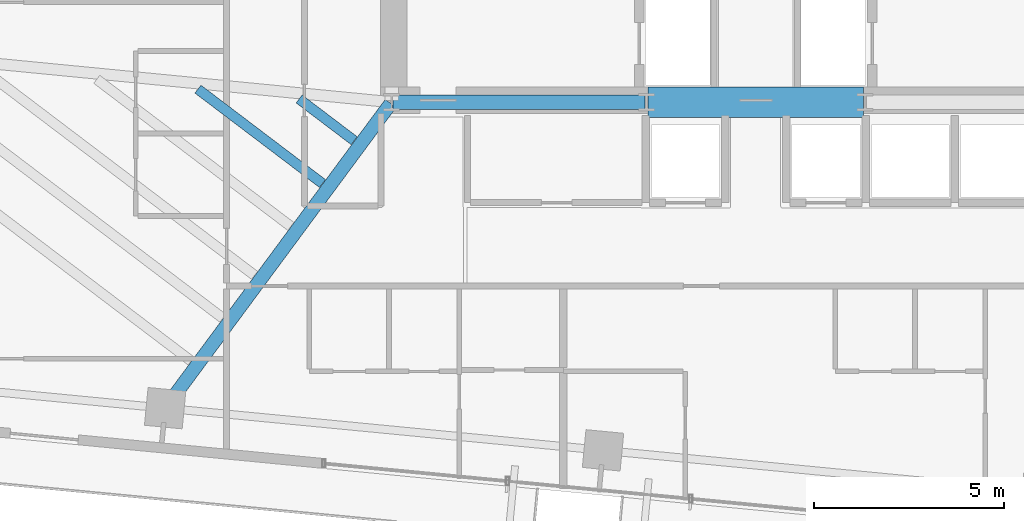
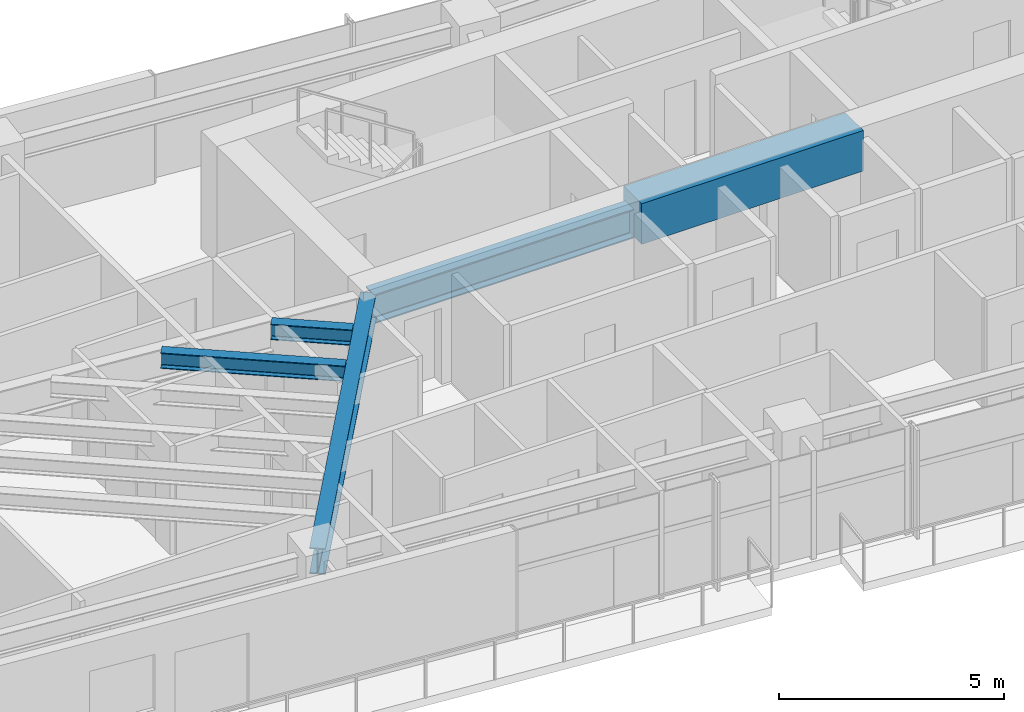
# One storey, part 5 of 20: 5 beams.
"""IFC4 building model written with IfcOpenShell, lengths in metres."""

from ifc_helpers import new_model, si_unit, direction, frame, origin, origin_2d, place, context, subcontext, project, spatial, rectangle, i_section, extrude, source, transform, mapped, material, material_profile, profile_set, type_object, type_shapes, element, save


model = new_model("IFC4")

# Units and contexts
model_context = context("Model", 3, precision=1e-05, world=origin(), true_north=direction((0.0, 1.0)))
body_context = subcontext(model_context, "Body", "Model", "MODEL_VIEW")
ifc_project = project(units=[si_unit("LENGTHUNIT", "METRE"), si_unit("AREAUNIT", "SQUARE_METRE"), si_unit("VOLUMEUNIT", "CUBIC_METRE"), si_unit("PLANEANGLEUNIT", "RADIAN"), si_unit("MASSUNIT", "GRAM", prefix="KILO")], contexts=[model_context])

# Site, building, storey
site_placement = place(None, origin())
site = spatial("IfcSite", under=ifc_project, at=site_placement, CompositionType="ELEMENT")
building_placement = place(site_placement, origin())
building = spatial("IfcBuilding", under=site, at=building_placement, Name="Astriad Promenade Condominiums", CompositionType="ELEMENT")
storey_placement = place(building_placement, frame((0.0, 0.0, 127.800048828125)))
storey = spatial("IfcBuildingStorey", under=building, at=storey_placement, Name="L36", CompositionType="ELEMENT", Elevation=127.800048828125)

# Beams
ifc_material_1 = material(Name="Steel ASTM A992 Grade 50", Category="steel")
ifc_material_profile_1 = material_profile(ifc_material_1, i_section(OverallWidth=0.3837890625, OverallDepth=0.785888671875, WebThickness=0.019775390625, FlangeThickness=0.033447265625, FilletRadius=0.021484375, at=origin_2d()), Name="W30X211")
ifc_profile_set_1 = profile_set([ifc_material_profile_1], Name="Steel ASTM A992 Grade 50")
beam_type_1 = type_object("IfcBeamType", Name="STEEL FLOOR GIRDER W30X211", PredefinedType="BEAM", material=ifc_profile_set_1)
shared_shape_1 = source(origin(), body_context, "Body", "SweptSolid", [
    extrude(i_section(OverallWidth=0.3837890625, OverallDepth=0.785888671875, WebThickness=0.019775390625, FlangeThickness=0.033447265625, FilletRadius=0.021484375, at=origin_2d()), origin(), (0.0, 0.0, 1.0), 6.64013671875),
])
type_shapes(beam_type_1, [shared_shape_1])
beam_1_placement = place(storey_placement, frame((26.43994140625, 17.39990234375, 2.546875), z_axis=(1.0, 0.0, 0.0), x_axis=(0.0, 1.0, 0.0)))
element("IfcBeam", 1, at=beam_1_placement, inside=storey, type_object=beam_type_1, Name="Core Ring Beam CG-S1-L36", PredefinedType="BEAM", context=body_context, shape_type="MappedRepresentation", body=[
    mapped(shared_shape_1, transform((0.0, 0.0, 0.0), scale=1.0)),
])
ifc_material_2 = material(Name="Concrete C80/95", Category="concrete")
ifc_material_profile_2 = material_profile(ifc_material_2, rectangle(XDim=0.800048828125, YDim=1.10009765625, at=origin_2d()), Name="RC-BM-800X1100")
ifc_profile_set_2 = profile_set([ifc_material_profile_2], Name="Concrete C80/95")
beam_type_2 = type_object("IfcBeamType", Name="CONCRETE CORE COUPLING LINTEL 800X1100", PredefinedType="LINTEL", material=ifc_profile_set_2)
shared_shape_2 = source(origin(), body_context, "Body", "SweptSolid", [
    extrude(rectangle(XDim=0.800048828125, YDim=1.10009765625, at=origin_2d()), origin(), (0.0, 0.0, 1.0), 5.68017578125),
])
type_shapes(beam_type_2, [shared_shape_2])
beam_2_placement = place(storey_placement, frame((33.159912109375, 17.39990234375, 2.6298828125), z_axis=(1.0, 0.0, 0.0), x_axis=(0.0, 1.0, 0.0)))
element("IfcBeam", 2, at=beam_2_placement, inside=storey, type_object=beam_type_2, Name="Core Ring Beam CG-S2-L36", PredefinedType="LINTEL", context=body_context, shape_type="MappedRepresentation", body=[
    mapped(shared_shape_2, transform((0.0, 0.0, 0.0), scale=1.0)),
])
ifc_material_profile_3 = material_profile(ifc_material_1, i_section(OverallWidth=0.35791015625, OverallDepth=0.706298828125, WebThickness=0.018310546875, FlangeThickness=0.0302734375, FilletRadius=0.020263671875, at=origin_2d()), Name="W27X178")
ifc_profile_set_3 = profile_set([ifc_material_profile_3], Name="Steel ASTM A992 Grade 50")
beam_type_3 = type_object("IfcBeamType", Name="STEEL FLOOR GIRDER W27X178", PredefinedType="BEAM", material=ifc_profile_set_3)
shared_shape_3 = source(origin(), body_context, "Body", "SweptSolid", [
    extrude(i_section(OverallWidth=0.35791015625, OverallDepth=0.706298828125, WebThickness=0.018310546875, FlangeThickness=0.0302734375, FilletRadius=0.020263671875, at=origin_2d()), origin(), (0.0, 0.0, 1.0), 9.958984375),
])
type_shapes(beam_type_3, [shared_shape_3])
beam_3_placement = place(storey_placement, frame((20.450927734375, 9.363525390625, 2.586669921875), z_axis=(0.59497542442, 0.803743892255, 0.0), x_axis=(-0.803743892255, 0.59497542442, 0.0)))
element("IfcBeam", 3, at=beam_3_placement, inside=storey, type_object=beam_type_3, Name="Primary Floor Girder PG-W2-L36", PredefinedType="BEAM", context=body_context, shape_type="MappedRepresentation", body=[
    mapped(shared_shape_3, transform((0.0, 0.0, 0.0), scale=1.0)),
])
ifc_material_profile_4 = material_profile(ifc_material_1, i_section(OverallWidth=0.26318359375, OverallDepth=0.425537109375, WebThickness=0.01318359375, FlangeThickness=0.022216796875, FilletRadius=0.013916015625, at=origin_2d()), Name="W16X89")
ifc_profile_set_4 = profile_set([ifc_material_profile_4], Name="Steel ASTM A992 Grade 50")
beam_type_4 = type_object("IfcBeamType", Name="STEEL FLOOR JOIST W16X89", PredefinedType="JOIST", material=ifc_profile_set_4)
shared_shape_4 = source(origin(), body_context, "Body", "SweptSolid", [
    extrude(i_section(OverallWidth=0.26318359375, OverallDepth=0.425537109375, WebThickness=0.01318359375, FlangeThickness=0.022216796875, FilletRadius=0.013916015625, at=origin_2d()), origin(), (0.0, 0.0, 1.0), 4.12109375),
])
beam_4_placement = place(storey_placement, frame((21.292724609375, 17.744140625, 2.727294921875), z_axis=(0.796968568798, -0.604020778077, 0.0), x_axis=(0.604020778077, 0.796968568798, 0.0)))
element("IfcBeam", 4, at=beam_4_placement, inside=storey, type_object=beam_type_4, Name="Secondary Composite Floor Joist JW1-5-L36", PredefinedType="JOIST", context=body_context, shape_type="MappedRepresentation", body=[
    mapped(shared_shape_4, transform((0.0, 0.0, 0.0), scale=1.0)),
])
shared_shape_5 = source(origin(), body_context, "Body", "SweptSolid", [
    extrude(i_section(OverallWidth=0.26318359375, OverallDepth=0.425537109375, WebThickness=0.01318359375, FlangeThickness=0.022216796875, FilletRadius=0.013916015625, at=origin_2d()), origin(), (0.0, 0.0, 1.0), 1.82177734375),
])
type_shapes(beam_type_4, [shared_shape_4, shared_shape_5])
beam_5_placement = place(storey_placement, frame((23.96142578125, 17.48486328125, 2.727294921875), z_axis=(0.796982671853, -0.604002169504, 0.0), x_axis=(0.604002169504, 0.796982671853, 0.0)))
element("IfcBeam", 5, at=beam_5_placement, inside=storey, type_object=beam_type_4, Name="Secondary Composite Floor Joist JW1-6-L36", PredefinedType="JOIST", context=body_context, shape_type="MappedRepresentation", body=[
    mapped(shared_shape_5, transform((0.0, 0.0, 0.0), scale=1.0)),
])

save(model, "model.ifc")
